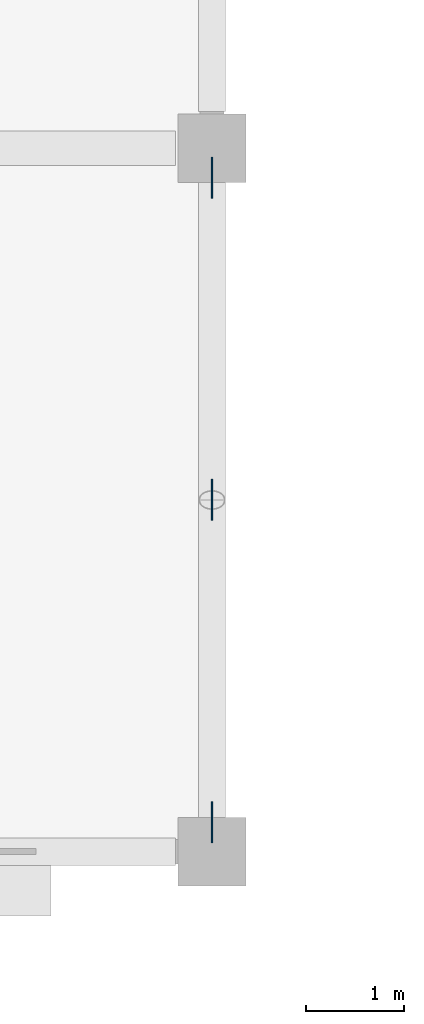
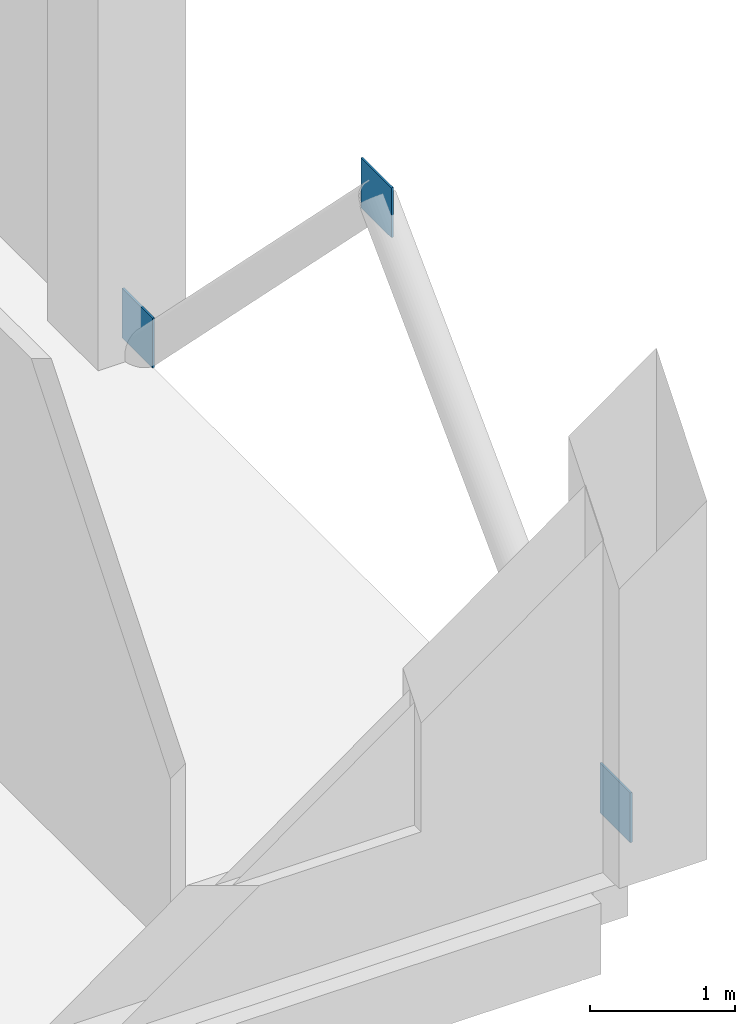
# One storey, part 50 of 77: 3 plates.
"""IFC4 building model written with IfcOpenShell, lengths in metres."""

from ifc_helpers import new_model, si_unit, direction, frame, origin, origin_2d, place, context, subcontext, project, spatial, rectangle, extrude, material, layer, layer_set, type_object, element, save


model = new_model("IFC4")

# Units and contexts
model_context = context("Model", 3, precision=1e-05, world=origin(), true_north=direction((0.0, 1.0)))
body_context = subcontext(model_context, "Body", "Model", "MODEL_VIEW")
ifc_project = project(units=[si_unit("LENGTHUNIT", "METRE"), si_unit("AREAUNIT", "SQUARE_METRE"), si_unit("VOLUMEUNIT", "CUBIC_METRE"), si_unit("PLANEANGLEUNIT", "RADIAN"), si_unit("MASSUNIT", "GRAM", prefix="KILO")], contexts=[model_context])

# Site, building, storey
site_placement = place(None, origin())
site = spatial("IfcSite", under=ifc_project, at=site_placement, CompositionType="ELEMENT")
building_placement = place(site_placement, origin())
building = spatial("IfcBuilding", under=site, at=building_placement, Name="Kangsadwip Square Police Headquarters", CompositionType="ELEMENT")
storey_placement = place(building_placement, frame((0.0, 0.0, 17.550048828125)))
storey = spatial("IfcBuildingStorey", under=building, at=storey_placement, Name="L04", CompositionType="ELEMENT", Elevation=17.550048828125)

# Plates
ifc_material = material(Name="Structural steel IS 2062 E350 (Grade 350, 350 MPa)", Category="steel")
ifc_layer = layer(ifc_material, 0.01611328125)
ifc_layer_set = layer_set([ifc_layer], Name="Structural steel IS 2062 E350 (Grade 350, 350 MPa)")
plate_type = type_object("IfcPlateType", Name="TrussGussetPlate16", PredefinedType="USERDEFINED", material=ifc_layer_set)
for number, where, z_axis, x_axis, name in (
    (1, (21.60009765625, 39.60009765625, 3.10009765625), (0.0, 0.0, 1.0), (0.0, 1.0, 0.0), "Truss Node Gusset Plate GP-L04-0139"),
    (2, (21.60009765625, 36.300048828125, 0.0), (0.0, 0.0, 1.0), (0.0, 1.0, 0.0), "Truss Node Gusset Plate GP-L04-0140"),
    (3, (21.60009765625, 42.89990234375, 0.0), (0.0, 0.0, 1.0), (0.0, 1.0, 0.0), "Truss Node Gusset Plate GP-L04-0141"),
):
    element("IfcPlate", number, at=place(storey_placement, frame(where, z_axis=z_axis, x_axis=x_axis)), inside=storey, type_object=plate_type, Name=name, ObjectType="GUSSET_PLATE", PredefinedType="USERDEFINED", context=body_context, shape_type="SweptSolid", body=[
        extrude(rectangle(XDim=0.419921875, YDim=0.01611328125, at=origin_2d()), origin(), (0.0, 0.0, 1.0), 0.419921875),
    ])

save(model, "model.ifc")
